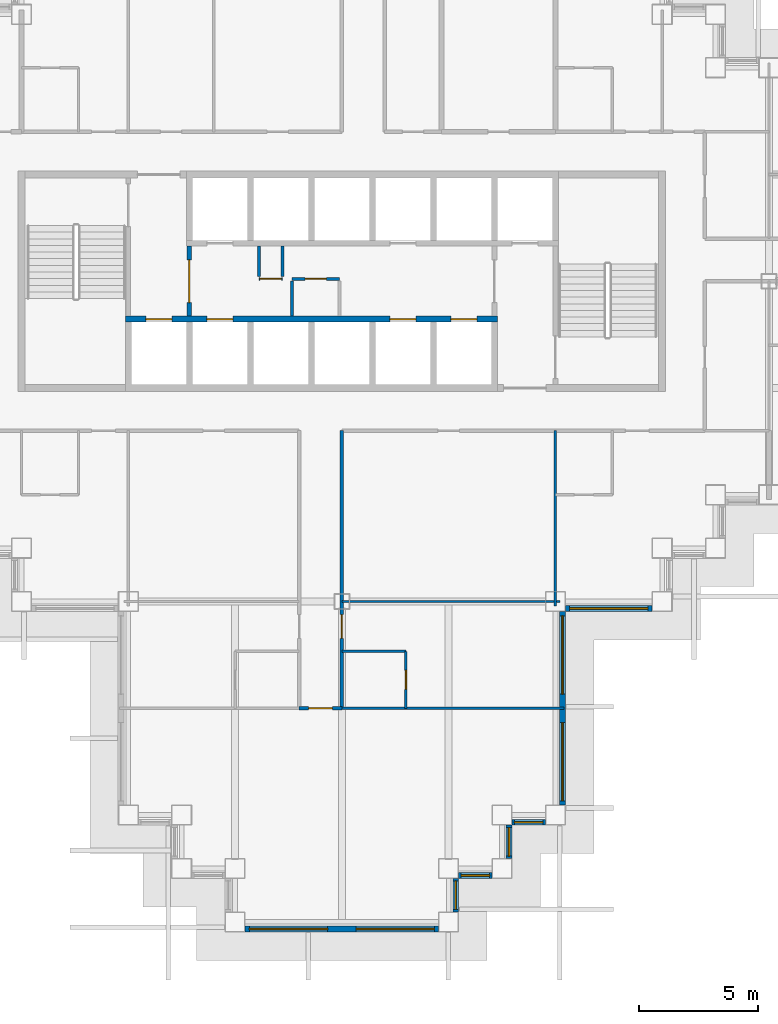
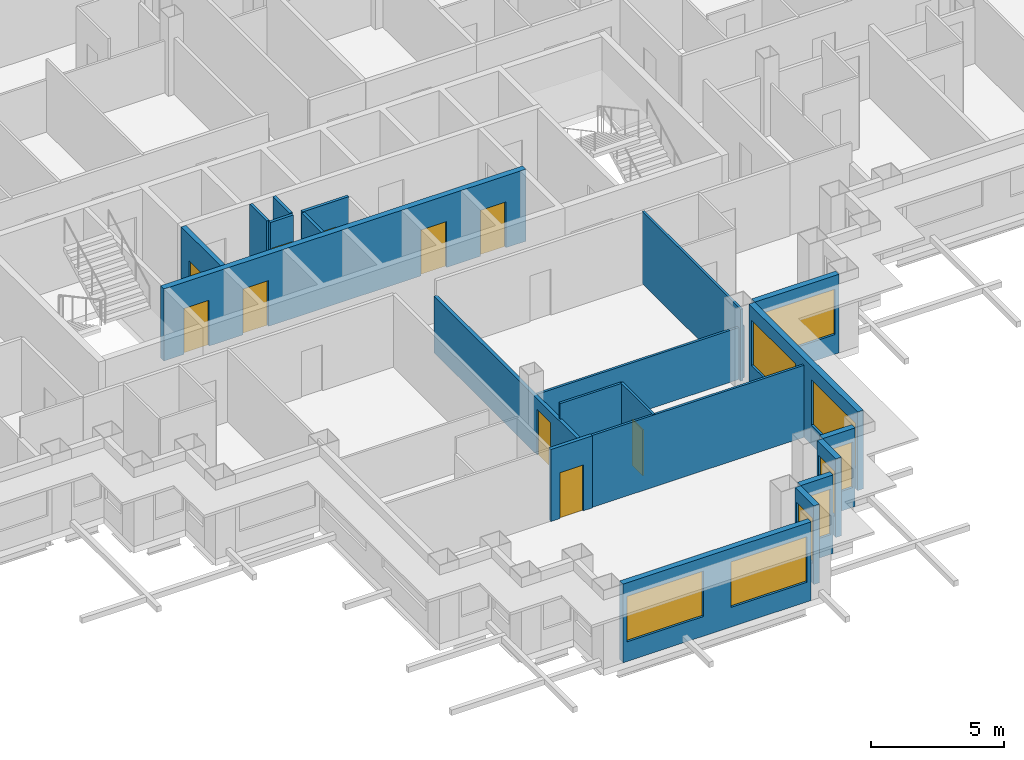
# One storey, part 6 of 17: 21 walls, 10 doors, 9 windows, 19 openings.
"""IFC4 building model written with IfcOpenShell, lengths in metres."""

from ifc_helpers import new_model, si_unit, direction, frame, frame_2d, origin, place, context, subcontext, project, spatial, rectangle, extrude, material, layer, layer_set, type_object, element, fill, save


model = new_model("IFC4")

# Units and contexts
model_context = context("Model", 3, precision=1e-05, world=origin(), true_north=direction((0.0, 1.0)))
body_context = subcontext(model_context, "Body", "Model", "MODEL_VIEW")
ifc_project = project(units=[si_unit("LENGTHUNIT", "METRE"), si_unit("AREAUNIT", "SQUARE_METRE"), si_unit("VOLUMEUNIT", "CUBIC_METRE"), si_unit("PLANEANGLEUNIT", "RADIAN"), si_unit("MASSUNIT", "GRAM", prefix="KILO")], contexts=[model_context])

# Site, building, storey
site_placement = place(None, origin())
site = spatial("IfcSite", under=ifc_project, at=site_placement, CompositionType="ELEMENT")
building_placement = place(site_placement, origin())
building = spatial("IfcBuilding", under=site, at=building_placement, Name="Caravel Reach Hotel and Residences", CompositionType="ELEMENT")
storey_placement = place(building_placement, frame((0.0, 0.0, 126.0)))
storey = spatial("IfcBuildingStorey", under=building, at=storey_placement, Name="L31", CompositionType="ELEMENT", Elevation=126.0)

# Wall
ifc_material_1 = material(Name="Gypsum board on steel stud", Category="steel")
ifc_layer_1 = layer(ifc_material_1, 0.10009765625)
ifc_layer_set_1 = layer_set([ifc_layer_1], Name="Bathroom pod wall 100 mm")
wall_type_1 = type_object("IfcWallType", Name="Bathroom pod wall 100 mm", PredefinedType="PARTITIONING", material=ifc_layer_set_1)
wall_1_placement = place(storey_placement, frame((31.5, 11.39990234375, 0.0), z_axis=(0.0, 0.0, 1.0), x_axis=(1.0, 0.0, 0.0)))
element("IfcWall", 1, at=wall_1_placement, inside=storey, type_object=wall_type_1, Name="L31 wall w067", PredefinedType="PARTITIONING", context=body_context, shape_type="SweptSolid", body=[
    extrude(rectangle(XDim=2.699951171875, YDim=0.10009765625, at=frame_2d((1.35009765625, 0.0))), origin(), (0.0, 0.0, 1.0), 3.300048828125),
])

# Wall, opening, door
wall_2_placement = place(storey_placement, frame((34.199951171875, 9.0, 0.0), z_axis=(0.0, 0.0, 1.0), x_axis=(0.0, 1.0, 0.0)))
wall_2 = element("IfcWall", 2, at=wall_2_placement, inside=storey, type_object=wall_type_1, Name="L31 wall w088", PredefinedType="PARTITIONING", context=body_context, shape_type="SweptSolid", body=[
    extrude(rectangle(XDim=2.39990234375, YDim=0.10009765625, at=frame_2d((1.199951171875, 0.0))), origin(), (0.0, 0.0, 1.0), 3.300048828125),
])
opening_1_placement = place(wall_2_placement, frame((0.800048828125, 0.0, 0.0)))
opening_1 = element("IfcOpeningElement", 3, at=opening_1_placement, cuts=wall_2, Name="Opening D31-035", PredefinedType="OPENING", context=body_context, shape_type="SweptSolid", body=[
    extrude(rectangle(XDim=0.800048828125, YDim=2.10009765625, at=frame_2d((0.39990234375, 1.050048828125))), frame((0.0, 0.06005859375, 0.0), z_axis=(0.0, -1.0, 0.0), x_axis=(1.0, 0.0, 0.0)), (0.0, 0.0, 1.0), 0.1201171875),
])
ifc_material_2 = material(Name="Timber and steel door leaf", Category="steel")
door_type_1 = type_object("IfcDoorType", Name="Bathroom door 800 x 2100", OperationType="SINGLE_SWING_LEFT", PredefinedType="DOOR", material=ifc_material_2)
door_1_placement = place(opening_1_placement, origin())
door_1 = element("IfcDoor", 4, at=door_1_placement, inside=storey, type_object=door_type_1, Name="door D31-035", OperationType="SINGLE_SWING_RIGHT", OverallHeight=2.10009765625, OverallWidth=0.800048828125, PredefinedType="DOOR", context=body_context, shape_type="SweptSolid", body=[
    extrude(rectangle(XDim=0.800048828125, YDim=2.10009765625, at=frame_2d((0.39990234375, 1.050048828125))), frame((0.0, 0.02490234375, 0.0), z_axis=(0.0, -1.0, 0.0), x_axis=(1.0, 0.0, 0.0)), (0.0, 0.0, 1.0), 0.050048828125),
])
fill(opening_1, door_1)

ifc_material_3 = material(Name="Gypsum board on steel stud, fire-rated", Category="steel")
ifc_layer_2 = layer(ifc_material_3, 0.14990234375)
ifc_layer_set_2 = layer_set([ifc_layer_2], Name="Corridor wall 150 mm EI 60")
wall_type_2 = type_object("IfcWallType", Name="Corridor wall 150 mm EI 60", PredefinedType="PARTITIONING", material=ifc_layer_set_2)
wall_3_placement = place(storey_placement, frame((29.699951171875, 9.0, 0.0), z_axis=(0.0, 0.0, 1.0), x_axis=(1.0, 0.0, 0.0)))
wall_3 = element("IfcWall", 5, at=wall_3_placement, inside=storey, type_object=wall_type_2, Name="L31 wall w022", PredefinedType="PARTITIONING", context=body_context, shape_type="SweptSolid", body=[
    extrude(rectangle(XDim=1.800048828125, YDim=0.14990234375, at=frame_2d((0.89990234375, 0.0))), origin(), (0.0, 0.0, 1.0), 3.300048828125),
])
opening_2_placement = place(wall_3_placement, frame((0.39990234375, 0.0, 0.0)))
opening_2 = element("IfcOpeningElement", 6, at=opening_2_placement, cuts=wall_3, Name="Opening D31-039", PredefinedType="OPENING", context=body_context, shape_type="SweptSolid", body=[
    extrude(rectangle(XDim=1.0, YDim=2.10009765625, at=frame_2d((0.5, 1.050048828125))), frame((0.0, 0.0849609375, 0.0), z_axis=(0.0, -1.0, 0.0), x_axis=(1.0, 0.0, 0.0)), (0.0, 0.0, 1.0), 0.169921875),
])
ifc_material_4 = material(Name="Steel fire door leaf", Category="steel")
door_type_2 = type_object("IfcDoorType", Name="Guest room door 1000 x 2100 EI 30", OperationType="SINGLE_SWING_LEFT", PredefinedType="DOOR", material=ifc_material_4)
door_2_placement = place(opening_2_placement, origin())
door_2 = element("IfcDoor", 7, at=door_2_placement, inside=storey, type_object=door_type_2, Name="door D31-039", OperationType="SINGLE_SWING_LEFT", OverallHeight=2.10009765625, OverallWidth=1.0, PredefinedType="DOOR", context=body_context, shape_type="SweptSolid", body=[
    extrude(rectangle(XDim=1.0, YDim=2.10009765625, at=frame_2d((0.5, 1.050048828125))), frame((0.0, 0.02490234375, 0.0), z_axis=(0.0, -1.0, 0.0), x_axis=(1.0, 0.0, 0.0)), (0.0, 0.0, 1.0), 0.050048828125),
])
fill(opening_2, door_2)

wall_4_placement = place(storey_placement, frame((31.5, 9.0, 0.0), z_axis=(0.0, 0.0, 1.0), x_axis=(0.0, 1.0, 0.0)))
wall_4 = element("IfcWall", 8, at=wall_4_placement, inside=storey, type_object=wall_type_2, Name="L31 wall w028", PredefinedType="PARTITIONING", context=body_context, shape_type="SweptSolid", body=[
    extrude(rectangle(XDim=11.699951171875, YDim=0.14990234375, at=frame_2d((5.85009765625, 0.0))), origin(), (0.0, 0.0, 1.0), 2.580078125),
])
opening_3_placement = place(wall_4_placement, frame((2.949951171875, 0.0, 0.0)))
opening_3 = element("IfcOpeningElement", 9, at=opening_3_placement, cuts=wall_4, Name="Opening D31-034", PredefinedType="OPENING", context=body_context, shape_type="SweptSolid", body=[
    extrude(rectangle(XDim=1.0, YDim=2.10009765625, at=frame_2d((0.5, 1.050048828125))), frame((0.0, 0.0849609375, 0.0), z_axis=(0.0, -1.0, 0.0), x_axis=(1.0, 0.0, 0.0)), (0.0, 0.0, 1.0), 0.169921875),
])
door_3_placement = place(opening_3_placement, origin())
door_3 = element("IfcDoor", 10, at=door_3_placement, inside=storey, type_object=door_type_2, Name="door D31-034", OperationType="SINGLE_SWING_RIGHT", OverallHeight=2.10009765625, OverallWidth=1.0, PredefinedType="DOOR", context=body_context, shape_type="SweptSolid", body=[
    extrude(rectangle(XDim=1.0, YDim=2.10009765625, at=frame_2d((0.5, 1.050048828125))), frame((0.0, 0.02490234375, 0.0), z_axis=(0.0, -1.0, 0.0), x_axis=(1.0, 0.0, 0.0)), (0.0, 0.0, 1.0), 0.050048828125),
])
fill(opening_3, door_3)

# Wall, openings, windows
ifc_material_5 = material(Name="Insulated rainscreen wall, aluminium cladding", Category="aluminium")
ifc_layer_3 = layer(ifc_material_5, 0.25)
ifc_layer_set_3 = layer_set([ifc_layer_3], Name="EW1 Tower rainscreen wall")
wall_type_3 = type_object("IfcWallType", Name="EW1 Tower rainscreen wall", PredefinedType="SOLIDWALL", material=ifc_layer_set_3)
wall_5_placement = place(storey_placement, frame((27.425048828125, -0.300048828125, 0.0), z_axis=(0.0, 0.0, 1.0), x_axis=(1.0, 0.0, 0.0)))
wall_5 = element("IfcWall", 11, at=wall_5_placement, inside=storey, type_object=wall_type_3, Name="External wall L31 S5.1", PredefinedType="SOLIDWALL", context=body_context, shape_type="SweptSolid", body=[
    extrude(rectangle(XDim=8.14990234375, YDim=0.25, at=frame_2d((4.074951171875, 0.0))), origin(), (0.0, 0.0, 1.0), 3.60009765625),
])
opening_4_placement = place(wall_5_placement, frame((0.175048828125, 0.0, 0.89990234375)))
opening_4 = element("IfcOpeningElement", 12, at=opening_4_placement, cuts=wall_5, Name="Opening WN4", PredefinedType="OPENING", context=body_context, shape_type="SweptSolid", body=[
    extrude(rectangle(XDim=3.300048828125, YDim=2.080078125, at=frame_2d((1.64990234375, 1.0400390625))), frame((0.0, 0.135009765625, 0.0), z_axis=(0.0, -1.0, 0.0), x_axis=(1.0, 0.0, 0.0)), (0.0, 0.0, 1.0), 0.27001953125),
])
opening_5_placement = place(wall_5_placement, frame((4.675048828125, 0.0, 0.89990234375)))
opening_5 = element("IfcOpeningElement", 13, at=opening_5_placement, cuts=wall_5, Name="Opening WN4", PredefinedType="OPENING", context=body_context, shape_type="SweptSolid", body=[
    extrude(rectangle(XDim=3.300048828125, YDim=2.080078125, at=frame_2d((1.64990234375, 1.0400390625))), frame((0.0, 0.135009765625, 0.0), z_axis=(0.0, -1.0, 0.0), x_axis=(1.0, 0.0, 0.0)), (0.0, 0.0, 1.0), 0.27001953125),
])
ifc_material_6 = material(Name="Dark low-e glazing in black aluminium frame", Category="aluminium")
window_type_1 = type_object("IfcWindowType", Name="Hotel guest room window 3300 x 2080", PartitioningType="SINGLE_PANEL", PredefinedType="WINDOW", material=ifc_material_6)
window_1_placement = place(opening_4_placement, origin())
window_1 = element("IfcWindow", 14, at=window_1_placement, inside=storey, type_object=window_type_1, Name="Window L31 S5.1.1", OverallHeight=2.080078125, OverallWidth=3.300048828125, PartitioningType="SINGLE_PANEL", PredefinedType="WINDOW", context=body_context, shape_type="SweptSolid", body=[
    extrude(rectangle(XDim=3.300048828125, YDim=2.080078125, at=frame_2d((1.64990234375, 1.0400390625))), frame((0.0, 0.030029296875, 0.0), z_axis=(0.0, -1.0, 0.0), x_axis=(1.0, 0.0, 0.0)), (0.0, 0.0, 1.0), 0.06005859375),
])
fill(opening_4, window_1)
window_2_placement = place(opening_5_placement, origin())
window_2 = element("IfcWindow", 15, at=window_2_placement, inside=storey, type_object=window_type_1, Name="Window L31 S5.1.2", OverallHeight=2.080078125, OverallWidth=3.300048828125, PartitioningType="SINGLE_PANEL", PredefinedType="WINDOW", context=body_context, shape_type="SweptSolid", body=[
    extrude(rectangle(XDim=3.300048828125, YDim=2.080078125, at=frame_2d((1.64990234375, 1.0400390625))), frame((0.0, 0.030029296875, 0.0), z_axis=(0.0, -1.0, 0.0), x_axis=(1.0, 0.0, 0.0)), (0.0, 0.0, 1.0), 0.06005859375),
])
fill(opening_5, window_2)

# Wall, opening, window
wall_6_placement = place(storey_placement, frame((36.300048828125, 0.425048828125, 0.0), z_axis=(0.0, 0.0, 1.0), x_axis=(0.0, 1.0, 0.0)))
wall_6 = element("IfcWall", 16, at=wall_6_placement, inside=storey, type_object=wall_type_3, Name="External wall L31 E6.1", PredefinedType="SOLIDWALL", context=body_context, shape_type="SweptSolid", body=[
    extrude(rectangle(XDim=1.39990234375, YDim=0.25, at=frame_2d((0.699951171875, 0.0))), origin(), (0.0, 0.0, 1.0), 3.60009765625),
])
opening_6_placement = place(wall_6_placement, frame((0.10009765625, 0.0, 0.89990234375)))
opening_6 = element("IfcOpeningElement", 17, at=opening_6_placement, cuts=wall_6, Name="Opening WN9", PredefinedType="OPENING", context=body_context, shape_type="SweptSolid", body=[
    extrude(rectangle(XDim=1.199951171875, YDim=2.080078125, at=frame_2d((0.60009765625, 1.0400390625))), frame((0.0, 0.135009765625, 0.0), z_axis=(0.0, -1.0, 0.0), x_axis=(1.0, 0.0, 0.0)), (0.0, 0.0, 1.0), 0.27001953125),
])
ifc_material_7 = material(Name="Dark low-e glazing in black aluminium frame", Category="aluminium")
window_type_2 = type_object("IfcWindowType", Name="Hotel suite corner window 1200 x 2080", PartitioningType="SINGLE_PANEL", PredefinedType="WINDOW", material=ifc_material_7)
window_3_placement = place(opening_6_placement, origin())
window_3 = element("IfcWindow", 18, at=window_3_placement, inside=storey, type_object=window_type_2, Name="Window L31 E6.1.1", OverallHeight=2.080078125, OverallWidth=1.199951171875, PartitioningType="SINGLE_PANEL", PredefinedType="WINDOW", context=body_context, shape_type="SweptSolid", body=[
    extrude(rectangle(XDim=1.199951171875, YDim=2.080078125, at=frame_2d((0.60009765625, 1.0400390625))), frame((0.0, 0.030029296875, 0.0), z_axis=(0.0, -1.0, 0.0), x_axis=(1.0, 0.0, 0.0)), (0.0, 0.0, 1.0), 0.06005859375),
])
fill(opening_6, window_3)

wall_7_placement = place(storey_placement, frame((36.425048828125, 1.949951171875, 0.0), z_axis=(0.0, 0.0, 1.0), x_axis=(1.0, 0.0, 0.0)))
wall_7 = element("IfcWall", 19, at=wall_7_placement, inside=storey, type_object=wall_type_3, Name="External wall L31 S7.1", PredefinedType="SOLIDWALL", context=body_context, shape_type="SweptSolid", body=[
    extrude(rectangle(XDim=1.39990234375, YDim=0.25, at=frame_2d((0.699951171875, 0.0))), origin(), (0.0, 0.0, 1.0), 3.60009765625),
])
opening_7_placement = place(wall_7_placement, frame((0.10009765625, 0.0, 0.89990234375)))
opening_7 = element("IfcOpeningElement", 20, at=opening_7_placement, cuts=wall_7, Name="Opening WN9", PredefinedType="OPENING", context=body_context, shape_type="SweptSolid", body=[
    extrude(rectangle(XDim=1.199951171875, YDim=2.080078125, at=frame_2d((0.60009765625, 1.0400390625))), frame((0.0, 0.135009765625, 0.0), z_axis=(0.0, -1.0, 0.0), x_axis=(1.0, 0.0, 0.0)), (0.0, 0.0, 1.0), 0.27001953125),
])
window_4_placement = place(opening_7_placement, origin())
window_4 = element("IfcWindow", 21, at=window_4_placement, inside=storey, type_object=window_type_2, Name="Window L31 S7.1.1", OverallHeight=2.080078125, OverallWidth=1.199951171875, PartitioningType="SINGLE_PANEL", PredefinedType="WINDOW", context=body_context, shape_type="SweptSolid", body=[
    extrude(rectangle(XDim=1.199951171875, YDim=2.080078125, at=frame_2d((0.60009765625, 1.0400390625))), frame((0.0, 0.030029296875, 0.0), z_axis=(0.0, -1.0, 0.0), x_axis=(1.0, 0.0, 0.0)), (0.0, 0.0, 1.0), 0.06005859375),
])
fill(opening_7, window_4)

wall_8_placement = place(storey_placement, frame((38.550048828125, 2.675048828125, 0.0), z_axis=(0.0, 0.0, 1.0), x_axis=(0.0, 1.0, 0.0)))
wall_8 = element("IfcWall", 22, at=wall_8_placement, inside=storey, type_object=wall_type_3, Name="External wall L31 E8.1", PredefinedType="SOLIDWALL", context=body_context, shape_type="SweptSolid", body=[
    extrude(rectangle(XDim=1.39990234375, YDim=0.25, at=frame_2d((0.699951171875, 0.0))), origin(), (0.0, 0.0, 1.0), 3.60009765625),
])
opening_8_placement = place(wall_8_placement, frame((0.10009765625, 0.0, 0.89990234375)))
opening_8 = element("IfcOpeningElement", 23, at=opening_8_placement, cuts=wall_8, Name="Opening WN9", PredefinedType="OPENING", context=body_context, shape_type="SweptSolid", body=[
    extrude(rectangle(XDim=1.199951171875, YDim=2.080078125, at=frame_2d((0.60009765625, 1.0400390625))), frame((0.0, 0.135009765625, 0.0), z_axis=(0.0, -1.0, 0.0), x_axis=(1.0, 0.0, 0.0)), (0.0, 0.0, 1.0), 0.27001953125),
])
window_5_placement = place(opening_8_placement, origin())
window_5 = element("IfcWindow", 24, at=window_5_placement, inside=storey, type_object=window_type_2, Name="Window L31 E8.1.1", OverallHeight=2.080078125, OverallWidth=1.199951171875, PartitioningType="SINGLE_PANEL", PredefinedType="WINDOW", context=body_context, shape_type="SweptSolid", body=[
    extrude(rectangle(XDim=1.199951171875, YDim=2.080078125, at=frame_2d((0.60009765625, 1.0400390625))), frame((0.0, 0.030029296875, 0.0), z_axis=(0.0, -1.0, 0.0), x_axis=(1.0, 0.0, 0.0)), (0.0, 0.0, 1.0), 0.06005859375),
])
fill(opening_8, window_5)

wall_9_placement = place(storey_placement, frame((38.675048828125, 4.199951171875, 0.0), z_axis=(0.0, 0.0, 1.0), x_axis=(1.0, 0.0, 0.0)))
wall_9 = element("IfcWall", 25, at=wall_9_placement, inside=storey, type_object=wall_type_3, Name="External wall L31 S9.1", PredefinedType="SOLIDWALL", context=body_context, shape_type="SweptSolid", body=[
    extrude(rectangle(XDim=1.39990234375, YDim=0.25, at=frame_2d((0.699951171875, 0.0))), origin(), (0.0, 0.0, 1.0), 3.60009765625),
])
opening_9_placement = place(wall_9_placement, frame((0.10009765625, 0.0, 0.89990234375)))
opening_9 = element("IfcOpeningElement", 26, at=opening_9_placement, cuts=wall_9, Name="Opening WN9", PredefinedType="OPENING", context=body_context, shape_type="SweptSolid", body=[
    extrude(rectangle(XDim=1.199951171875, YDim=2.080078125, at=frame_2d((0.60009765625, 1.0400390625))), frame((0.0, 0.135009765625, 0.0), z_axis=(0.0, -1.0, 0.0), x_axis=(1.0, 0.0, 0.0)), (0.0, 0.0, 1.0), 0.27001953125),
])
window_6_placement = place(opening_9_placement, origin())
window_6 = element("IfcWindow", 27, at=window_6_placement, inside=storey, type_object=window_type_2, Name="Window L31 S9.1.1", OverallHeight=2.080078125, OverallWidth=1.199951171875, PartitioningType="SINGLE_PANEL", PredefinedType="WINDOW", context=body_context, shape_type="SweptSolid", body=[
    extrude(rectangle(XDim=1.199951171875, YDim=2.080078125, at=frame_2d((0.60009765625, 1.0400390625))), frame((0.0, 0.030029296875, 0.0), z_axis=(0.0, -1.0, 0.0), x_axis=(1.0, 0.0, 0.0)), (0.0, 0.0, 1.0), 0.06005859375),
])
fill(opening_9, window_6)

# Wall, openings, windows
wall_10_placement = place(storey_placement, frame((40.800048828125, 4.925048828125, 0.0), z_axis=(0.0, 0.0, 1.0), x_axis=(0.0, 1.0, 0.0)))
wall_10 = element("IfcWall", 28, at=wall_10_placement, inside=storey, type_object=wall_type_3, Name="External wall L31 E10.1", PredefinedType="SOLIDWALL", context=body_context, shape_type="SweptSolid", body=[
    extrude(rectangle(XDim=8.14990234375, YDim=0.25, at=frame_2d((4.074951171875, 0.0))), origin(), (0.0, 0.0, 1.0), 3.60009765625),
])
opening_10_placement = place(wall_10_placement, frame((0.175048828125, 0.0, 0.89990234375)))
opening_10 = element("IfcOpeningElement", 29, at=opening_10_placement, cuts=wall_10, Name="Opening WN4", PredefinedType="OPENING", context=body_context, shape_type="SweptSolid", body=[
    extrude(rectangle(XDim=3.300048828125, YDim=2.080078125, at=frame_2d((1.64990234375, 1.0400390625))), frame((0.0, 0.135009765625, 0.0), z_axis=(0.0, -1.0, 0.0), x_axis=(1.0, 0.0, 0.0)), (0.0, 0.0, 1.0), 0.27001953125),
])
opening_11_placement = place(wall_10_placement, frame((4.675048828125, 0.0, 0.89990234375)))
opening_11 = element("IfcOpeningElement", 30, at=opening_11_placement, cuts=wall_10, Name="Opening WN4", PredefinedType="OPENING", context=body_context, shape_type="SweptSolid", body=[
    extrude(rectangle(XDim=3.300048828125, YDim=2.080078125, at=frame_2d((1.64990234375, 1.0400390625))), frame((0.0, 0.135009765625, 0.0), z_axis=(0.0, -1.0, 0.0), x_axis=(1.0, 0.0, 0.0)), (0.0, 0.0, 1.0), 0.27001953125),
])
window_7_placement = place(opening_10_placement, origin())
window_7 = element("IfcWindow", 31, at=window_7_placement, inside=storey, type_object=window_type_1, Name="Window L31 E10.1.1", OverallHeight=2.080078125, OverallWidth=3.300048828125, PartitioningType="SINGLE_PANEL", PredefinedType="WINDOW", context=body_context, shape_type="SweptSolid", body=[
    extrude(rectangle(XDim=3.300048828125, YDim=2.080078125, at=frame_2d((1.64990234375, 1.0400390625))), frame((0.0, 0.030029296875, 0.0), z_axis=(0.0, -1.0, 0.0), x_axis=(1.0, 0.0, 0.0)), (0.0, 0.0, 1.0), 0.06005859375),
])
fill(opening_10, window_7)
window_8_placement = place(opening_11_placement, origin())
window_8 = element("IfcWindow", 32, at=window_8_placement, inside=storey, type_object=window_type_1, Name="Window L31 E10.1.2", OverallHeight=2.080078125, OverallWidth=3.300048828125, PartitioningType="SINGLE_PANEL", PredefinedType="WINDOW", context=body_context, shape_type="SweptSolid", body=[
    extrude(rectangle(XDim=3.300048828125, YDim=2.080078125, at=frame_2d((1.64990234375, 1.0400390625))), frame((0.0, 0.030029296875, 0.0), z_axis=(0.0, -1.0, 0.0), x_axis=(1.0, 0.0, 0.0)), (0.0, 0.0, 1.0), 0.06005859375),
])
fill(opening_11, window_8)

# Wall, opening, window
wall_11_placement = place(storey_placement, frame((40.925048828125, 13.199951171875, 0.0), z_axis=(0.0, 0.0, 1.0), x_axis=(1.0, 0.0, 0.0)))
wall_11 = element("IfcWall", 33, at=wall_11_placement, inside=storey, type_object=wall_type_3, Name="External wall L31 S11.1", PredefinedType="SOLIDWALL", context=body_context, shape_type="SweptSolid", body=[
    extrude(rectangle(XDim=3.64990234375, YDim=0.25, at=frame_2d((1.824951171875, 0.0))), origin(), (0.0, 0.0, 1.0), 3.60009765625),
])
opening_12_placement = place(wall_11_placement, frame((0.175048828125, 0.0, 0.89990234375)))
opening_12 = element("IfcOpeningElement", 34, at=opening_12_placement, cuts=wall_11, Name="Opening WN4", PredefinedType="OPENING", context=body_context, shape_type="SweptSolid", body=[
    extrude(rectangle(XDim=3.300048828125, YDim=2.080078125, at=frame_2d((1.64990234375, 1.0400390625))), frame((0.0, 0.135009765625, 0.0), z_axis=(0.0, -1.0, 0.0), x_axis=(1.0, 0.0, 0.0)), (0.0, 0.0, 1.0), 0.27001953125),
])
window_9_placement = place(opening_12_placement, origin())
window_9 = element("IfcWindow", 35, at=window_9_placement, inside=storey, type_object=window_type_1, Name="Window L31 S11.1.1", OverallHeight=2.080078125, OverallWidth=3.300048828125, PartitioningType="SINGLE_PANEL", PredefinedType="WINDOW", context=body_context, shape_type="SweptSolid", body=[
    extrude(rectangle(XDim=3.300048828125, YDim=2.080078125, at=frame_2d((1.64990234375, 1.0400390625))), frame((0.0, 0.030029296875, 0.0), z_axis=(0.0, -1.0, 0.0), x_axis=(1.0, 0.0, 0.0)), (0.0, 0.0, 1.0), 0.06005859375),
])
fill(opening_12, window_9)

# Wall, opening, door
ifc_material_8 = material(Name="Autoclaved aerated block wall")
ifc_layer_4 = layer(ifc_material_8, 0.199951171875)
ifc_layer_set_4 = layer_set([ifc_layer_4], Name="Fire lobby wall 200 mm EI 120")
wall_type_4 = type_object("IfcWallType", Name="Fire lobby wall 200 mm EI 120", PredefinedType="PARTITIONING", material=ifc_layer_set_4)
wall_12_placement = place(storey_placement, frame((25.071533203125, 25.52490234375, 0.0), z_axis=(0.0, 0.0, 1.0), x_axis=(0.0, 1.0, 0.0)))
wall_12 = element("IfcWall", 36, at=wall_12_placement, inside=storey, type_object=wall_type_4, Name="L31 lobby W wall", PredefinedType="PARTITIONING", context=body_context, shape_type="SweptSolid", body=[
    extrude(rectangle(XDim=2.9501953125, YDim=0.199951171875, at=frame_2d((1.47509765625, 0.0))), origin(), (0.0, 0.0, 1.0), 3.300048828125),
])
opening_13_placement = place(wall_12_placement, frame((0.574951171875, 0.0, 0.0)))
opening_13 = element("IfcOpeningElement", 37, at=opening_13_placement, cuts=wall_12, Name="Opening D31-012", PredefinedType="OPENING", context=body_context, shape_type="SweptSolid", body=[
    extrude(rectangle(XDim=1.800048828125, YDim=2.10009765625, at=frame_2d((0.89990234375, 1.050048828125))), frame((0.0, 0.10986328125, 0.0), z_axis=(0.0, -1.0, 0.0), x_axis=(1.0, 0.0, 0.0)), (0.0, 0.0, 1.0), 0.219970703125),
])
ifc_material_9 = material(Name="Steel fire door leaf", Category="steel")
door_type_3 = type_object("IfcDoorType", Name="Fire lobby door pair 1800 x 2100 EI 90", OperationType="DOUBLE_DOOR_SINGLE_SWING", PredefinedType="DOOR", material=ifc_material_9)
door_4_placement = place(opening_13_placement, origin())
door_4 = element("IfcDoor", 38, at=door_4_placement, inside=storey, type_object=door_type_3, Name="lobby W door pair", OperationType="DOUBLE_DOOR_SINGLE_SWING", OverallHeight=2.10009765625, OverallWidth=1.800048828125, PredefinedType="DOOR", context=body_context, shape_type="SweptSolid", body=[
    extrude(rectangle(XDim=1.800048828125, YDim=2.10009765625, at=frame_2d((0.89990234375, 1.050048828125))), frame((0.0, 0.02490234375, 0.0), z_axis=(0.0, -1.0, 0.0), x_axis=(1.0, 0.0, 0.0)), (0.0, 0.0, 1.0), 0.050048828125),
])
fill(opening_13, door_4)

# Walls
ifc_material_10 = material(Name="Gypsum board on steel stud", Category="steel")
ifc_layer_5 = layer(ifc_material_10, 0.10009765625)
ifc_layer_set_5 = layer_set([ifc_layer_5], Name="Partition 100 mm")
wall_type_5 = type_object("IfcWallType", Name="Partition 100 mm", PredefinedType="PARTITIONING", material=ifc_layer_set_5)
wall_13_placement = place(storey_placement, frame((31.5, 13.5, 0.0), z_axis=(0.0, 0.0, 1.0), x_axis=(1.0, 0.0, 0.0)))
element("IfcWall", 39, at=wall_13_placement, inside=storey, type_object=wall_type_5, Name="L31 wall w037", PredefinedType="PARTITIONING", context=body_context, shape_type="SweptSolid", body=[
    extrude(rectangle(XDim=9.18994140625, YDim=0.10009765625, at=frame_2d((4.594970703125, 0.0))), origin(), (0.0, 0.0, 1.0), 2.3798828125),
])
wall_14_placement = place(storey_placement, frame((31.5, 9.0, 0.0), z_axis=(0.0, 0.0, 1.0), x_axis=(1.0, 0.0, 0.0)))
element("IfcWall", 40, at=wall_14_placement, inside=storey, type_object=wall_type_5, Name="L31 wall w047", PredefinedType="PARTITIONING", context=body_context, shape_type="SweptSolid", body=[
    extrude(rectangle(XDim=9.364990234375, YDim=0.10009765625, at=frame_2d((4.6826171875, 0.0))), origin(), (0.0, 0.0, 1.0), 3.300048828125),
])
wall_15_placement = place(storey_placement, frame((40.5, 13.31005859375, 0.0), z_axis=(0.0, 0.0, 1.0), x_axis=(0.0, 1.0, 0.0)))
element("IfcWall", 41, at=wall_15_placement, inside=storey, type_object=wall_type_5, Name="L31 wall w054", PredefinedType="PARTITIONING", context=body_context, shape_type="SweptSolid", body=[
    extrude(rectangle(XDim=7.389892578125, YDim=0.10009765625, at=frame_2d((3.69482421875, 0.0))), origin(), (0.0, 0.0, 1.0), 3.300048828125),
])

# Wall, opening, door
ifc_material_11 = material(Name="Autoclaved aerated block wall")
ifc_layer_6 = layer(ifc_material_11, 0.125)
ifc_layer_set_6 = layer_set([ifc_layer_6], Name="Riser wall 125 mm EI 60")
wall_type_6 = type_object("IfcWallType", Name="Riser wall 125 mm EI 60", PredefinedType="PARTITIONING", material=ifc_layer_set_6)
wall_16_placement = place(storey_placement, frame((29.39990234375, 27.10009765625, 0.0), z_axis=(0.0, 0.0, 1.0), x_axis=(1.0, 0.0, 0.0)))
wall_16 = element("IfcWall", 42, at=wall_16_placement, inside=storey, type_object=wall_type_6, Name="L31 service room wall S1", PredefinedType="PARTITIONING", context=body_context, shape_type="SweptSolid", body=[
    extrude(rectangle(XDim=2.0, YDim=0.125, at=frame_2d((1.0, 0.0))), origin(), (0.0, 0.0, 1.0), 3.300048828125),
])
opening_14_placement = place(wall_16_placement, frame((0.550048828125, 0.0, 0.0)))
opening_14 = element("IfcOpeningElement", 43, at=opening_14_placement, cuts=wall_16, Name="Opening D31-008", PredefinedType="OPENING", context=body_context, shape_type="SweptSolid", body=[
    extrude(rectangle(XDim=0.89990234375, YDim=2.10009765625, at=frame_2d((0.449951171875, 1.050048828125))), frame((0.0, 0.072509765625, 0.0), z_axis=(0.0, -1.0, 0.0), x_axis=(1.0, 0.0, 0.0)), (0.0, 0.0, 1.0), 0.14501953125),
])
ifc_material_12 = material(Name="Steel fire door leaf", Category="steel")
door_type_4 = type_object("IfcDoorType", Name="Riser door 900 x 2100 EI 60", OperationType="SINGLE_SWING_LEFT", PredefinedType="DOOR", material=ifc_material_12)
door_5_placement = place(opening_14_placement, origin())
door_5 = element("IfcDoor", 44, at=door_5_placement, inside=storey, type_object=door_type_4, Name="Spa linen store door", OperationType="SINGLE_SWING_LEFT", OverallHeight=2.10009765625, OverallWidth=0.89990234375, PredefinedType="DOOR", context=body_context, shape_type="SweptSolid", body=[
    extrude(rectangle(XDim=0.89990234375, YDim=2.10009765625, at=frame_2d((0.449951171875, 1.050048828125))), frame((0.0, 0.02490234375, 0.0), z_axis=(0.0, -1.0, 0.0), x_axis=(1.0, 0.0, 0.0)), (0.0, 0.0, 1.0), 0.050048828125),
])
fill(opening_14, door_5)

# Wall
wall_17_placement = place(storey_placement, frame((29.39990234375, 25.52490234375, 0.0), z_axis=(0.0, 0.0, 1.0), x_axis=(0.0, 1.0, 0.0)))
element("IfcWall", 45, at=wall_17_placement, inside=storey, type_object=wall_type_6, Name="L31 service room partition S1", PredefinedType="PARTITIONING", context=body_context, shape_type="SweptSolid", body=[
    extrude(rectangle(XDim=1.47509765625, YDim=0.125, at=frame_2d((0.737548828125, 0.0))), origin(), (0.0, 0.0, 1.0), 3.300048828125),
])

# Wall, opening, door
wall_18_placement = place(storey_placement, frame((28.0, 27.10009765625, 0.0), z_axis=(0.0, 0.0, 1.0), x_axis=(1.0, 0.0, 0.0)))
wall_18 = element("IfcWall", 46, at=wall_18_placement, inside=storey, type_object=wall_type_6, Name="L31 service room wall N1", PredefinedType="PARTITIONING", context=body_context, shape_type="SweptSolid", body=[
    extrude(rectangle(XDim=1.0, YDim=0.125, at=frame_2d((0.5, 0.0))), origin(), (0.0, 0.0, 1.0), 3.300048828125),
])
opening_15_placement = place(wall_18_placement, frame((0.050048828125, 0.0, 0.0)))
opening_15 = element("IfcOpeningElement", 47, at=opening_15_placement, cuts=wall_18, Name="Opening D31-009", PredefinedType="OPENING", context=body_context, shape_type="SweptSolid", body=[
    extrude(rectangle(XDim=0.89990234375, YDim=2.10009765625, at=frame_2d((0.449951171875, 1.050048828125))), frame((0.0, 0.072509765625, 0.0), z_axis=(0.0, -1.0, 0.0), x_axis=(1.0, 0.0, 0.0)), (0.0, 0.0, 1.0), 0.14501953125),
])
door_6_placement = place(opening_15_placement, origin())
door_6 = element("IfcDoor", 48, at=door_6_placement, inside=storey, type_object=door_type_4, Name="Laundry store door", OperationType="SINGLE_SWING_LEFT", OverallHeight=2.10009765625, OverallWidth=0.89990234375, PredefinedType="DOOR", context=body_context, shape_type="SweptSolid", body=[
    extrude(rectangle(XDim=0.89990234375, YDim=2.10009765625, at=frame_2d((0.449951171875, 1.050048828125))), frame((0.0, 0.02490234375, 0.0), z_axis=(0.0, -1.0, 0.0), x_axis=(1.0, 0.0, 0.0)), (0.0, 0.0, 1.0), 0.050048828125),
])
fill(opening_15, door_6)

# Walls
for number, where, z_axis, x_axis, name in (
    (49, (28.0, 28.47509765625, 0.0), (0.0, 0.0, 1.0), (0.0, -1.0, 0.0), "L31 service room partition N1"),
    (50, (29.0, 28.47509765625, 0.0), (0.0, 0.0, 1.0), (0.0, -1.0, 0.0), "L31 service room partition N1"),
):
    element("IfcWall", number, at=place(storey_placement, frame(where, z_axis=z_axis, x_axis=x_axis)), inside=storey, type_object=wall_type_6, Name=name, PredefinedType="PARTITIONING", context=body_context, shape_type="SweptSolid", body=[
        extrude(rectangle(XDim=1.275146484375, YDim=0.125, at=frame_2d((0.6376953125, 0.0))), origin(), (0.0, 0.0, 1.0), 3.300048828125),
    ])

# Wall, openings, doors
ifc_material_13 = material(Name="Concrete C60", Category="concrete")
ifc_layer_7 = layer(ifc_material_13, 0.25)
ifc_layer_set_7 = layer_set([ifc_layer_7], Name="Shaft wall 250 mm EI 120")
wall_type_7 = type_object("IfcWallType", Name="Shaft wall 250 mm EI 120", PredefinedType="SHEAR", material=ifc_layer_set_7)
wall_19_placement = place(storey_placement, frame((22.375, 25.39990234375, 0.0), z_axis=(0.0, 0.0, 1.0), x_axis=(1.0, 0.0, 0.0)))
wall_19 = element("IfcWall", 51, at=wall_19_placement, inside=storey, type_object=wall_type_7, Name="L31 lobby wall S1", PredefinedType="SHEAR", context=body_context, shape_type="SweptSolid", body=[
    extrude(rectangle(XDim=15.678466796875, YDim=0.25, at=frame_2d((7.83935546875, 0.0))), origin(), (0.0, 0.0, 1.0), 3.300048828125),
])
opening_16_placement = place(wall_19_placement, frame((3.43212890625, 0.0, 0.0)))
opening_16 = element("IfcOpeningElement", 52, at=opening_16_placement, cuts=wall_19, Name="Opening D31-001", PredefinedType="OPENING", context=body_context, shape_type="SweptSolid", body=[
    extrude(rectangle(XDim=1.10009765625, YDim=2.10009765625, at=frame_2d((0.550048828125, 1.050048828125))), frame((0.0, 0.135009765625, 0.0), z_axis=(0.0, -1.0, 0.0), x_axis=(1.0, 0.0, 0.0)), (0.0, 0.0, 1.0), 0.27001953125),
])
opening_17_placement = place(wall_19_placement, frame((11.146484375, 0.0, 0.0)))
opening_17 = element("IfcOpeningElement", 53, at=opening_17_placement, cuts=wall_19, Name="Opening D31-002", PredefinedType="OPENING", context=body_context, shape_type="SweptSolid", body=[
    extrude(rectangle(XDim=1.10009765625, YDim=2.10009765625, at=frame_2d((0.550048828125, 1.050048828125))), frame((0.0, 0.135009765625, 0.0), z_axis=(0.0, -1.0, 0.0), x_axis=(1.0, 0.0, 0.0)), (0.0, 0.0, 1.0), 0.27001953125),
])
opening_18_placement = place(wall_19_placement, frame((13.718017578125, 0.0, 0.0)))
opening_18 = element("IfcOpeningElement", 54, at=opening_18_placement, cuts=wall_19, Name="Opening D31-003", PredefinedType="OPENING", context=body_context, shape_type="SweptSolid", body=[
    extrude(rectangle(XDim=1.10009765625, YDim=2.10009765625, at=frame_2d((0.550048828125, 1.050048828125))), frame((0.0, 0.135009765625, 0.0), z_axis=(0.0, -1.0, 0.0), x_axis=(1.0, 0.0, 0.0)), (0.0, 0.0, 1.0), 0.27001953125),
])
opening_19_placement = place(wall_19_placement, frame((0.860595703125, 0.0, 0.0)))
opening_19 = element("IfcOpeningElement", 55, at=opening_19_placement, cuts=wall_19, Name="Opening D31-006", PredefinedType="OPENING", context=body_context, shape_type="SweptSolid", body=[
    extrude(rectangle(XDim=1.10009765625, YDim=2.10009765625, at=frame_2d((0.550048828125, 1.050048828125))), frame((0.0, 0.135009765625, 0.0), z_axis=(0.0, -1.0, 0.0), x_axis=(1.0, 0.0, 0.0)), (0.0, 0.0, 1.0), 0.27001953125),
])
ifc_material_14 = material(Name="Stainless steel landing door", Category="steel")
door_type_5 = type_object("IfcDoorType", Name="Landing door LD 1100 x 2100 sliding", OperationType="DOUBLE_DOOR_SLIDING", PredefinedType="DOOR", material=ifc_material_14)
door_7_placement = place(opening_16_placement, origin())
door_7 = element("IfcDoor", 56, at=door_7_placement, inside=storey, type_object=door_type_5, Name="LP1 landing door", OperationType="DOUBLE_DOOR_SLIDING", OverallHeight=2.10009765625, OverallWidth=1.10009765625, PredefinedType="DOOR", context=body_context, shape_type="SweptSolid", body=[
    extrude(rectangle(XDim=1.10009765625, YDim=2.10009765625, at=frame_2d((0.550048828125, 1.050048828125))), frame((0.0, 0.02490234375, 0.0), z_axis=(0.0, -1.0, 0.0), x_axis=(1.0, 0.0, 0.0)), (0.0, 0.0, 1.0), 0.050048828125),
])
fill(opening_16, door_7)
door_8_placement = place(opening_17_placement, origin())
door_8 = element("IfcDoor", 57, at=door_8_placement, inside=storey, type_object=door_type_5, Name="LP2 landing door", OperationType="DOUBLE_DOOR_SLIDING", OverallHeight=2.10009765625, OverallWidth=1.10009765625, PredefinedType="DOOR", context=body_context, shape_type="SweptSolid", body=[
    extrude(rectangle(XDim=1.10009765625, YDim=2.10009765625, at=frame_2d((0.550048828125, 1.050048828125))), frame((0.0, 0.02490234375, 0.0), z_axis=(0.0, -1.0, 0.0), x_axis=(1.0, 0.0, 0.0)), (0.0, 0.0, 1.0), 0.050048828125),
])
fill(opening_17, door_8)
door_9_placement = place(opening_18_placement, origin())
door_9 = element("IfcDoor", 58, at=door_9_placement, inside=storey, type_object=door_type_5, Name="LP3 landing door", OperationType="DOUBLE_DOOR_SLIDING", OverallHeight=2.10009765625, OverallWidth=1.10009765625, PredefinedType="DOOR", context=body_context, shape_type="SweptSolid", body=[
    extrude(rectangle(XDim=1.10009765625, YDim=2.10009765625, at=frame_2d((0.550048828125, 1.050048828125))), frame((0.0, 0.02490234375, 0.0), z_axis=(0.0, -1.0, 0.0), x_axis=(1.0, 0.0, 0.0)), (0.0, 0.0, 1.0), 0.050048828125),
])
fill(opening_18, door_9)
door_10_placement = place(opening_19_placement, origin())
door_10 = element("IfcDoor", 59, at=door_10_placement, inside=storey, type_object=door_type_5, Name="FL1 landing door", OperationType="DOUBLE_DOOR_SLIDING", OverallHeight=2.10009765625, OverallWidth=1.10009765625, PredefinedType="DOOR", context=body_context, shape_type="SweptSolid", body=[
    extrude(rectangle(XDim=1.10009765625, YDim=2.10009765625, at=frame_2d((0.550048828125, 1.050048828125))), frame((0.0, 0.02490234375, 0.0), z_axis=(0.0, -1.0, 0.0), x_axis=(1.0, 0.0, 0.0)), (0.0, 0.0, 1.0), 0.050048828125),
])
fill(opening_19, door_10)

save(model, "model.ifc")
